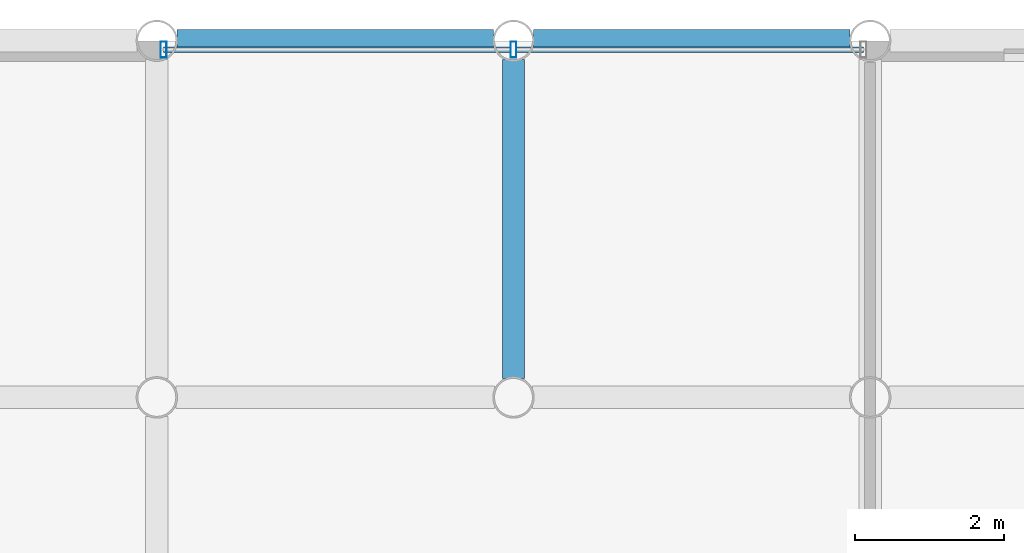
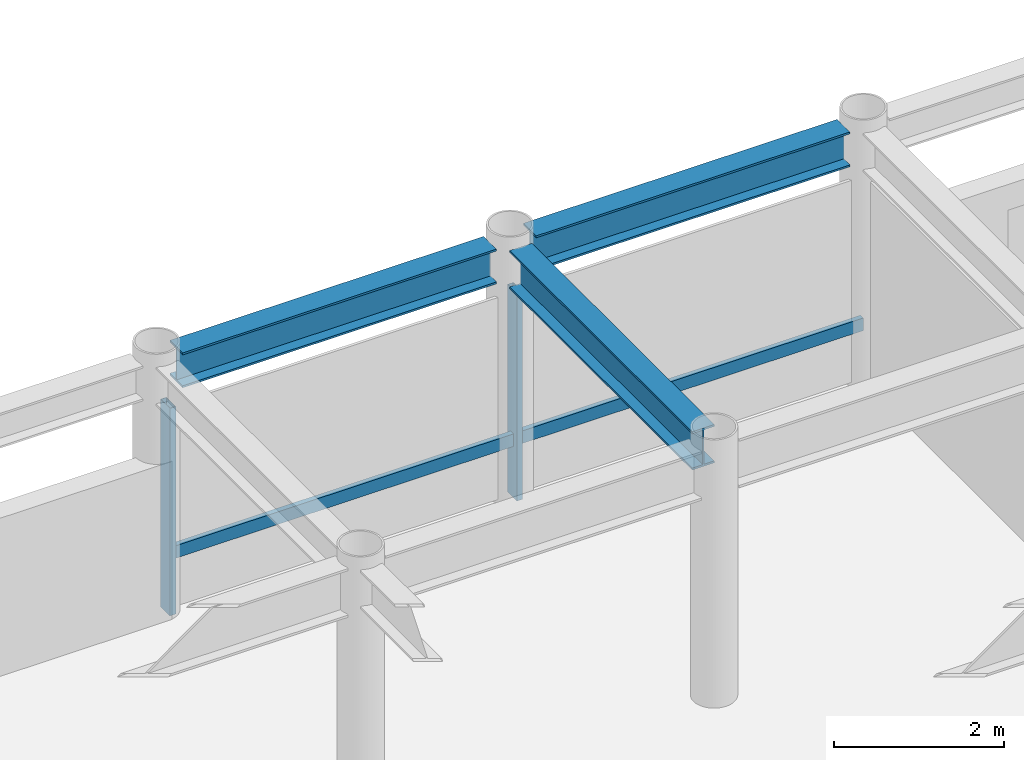
# One storey, part 14 of 22: 4 members, 3 beams, 1 element without a shape of its own.
"""IFC4 building model written with IfcOpenShell, lengths in metres."""

from ifc_helpers import new_model, si_unit, direction, frame, origin, origin_2d, place, context, subcontext, project, spatial, hollow_rectangle, i_section, extrude, material, layer, layer_set, material_profile, profile_set, type_object, element, aggregate, save


model = new_model("IFC4")

# Units and contexts
model_context = context("Model", 3, precision=1e-05, world=origin(), true_north=direction((0.0, 1.0)))
body_context = subcontext(model_context, "Body", "Model", "MODEL_VIEW")
ifc_project = project(units=[si_unit("LENGTHUNIT", "METRE"), si_unit("AREAUNIT", "SQUARE_METRE"), si_unit("VOLUMEUNIT", "CUBIC_METRE"), si_unit("PLANEANGLEUNIT", "RADIAN"), si_unit("MASSUNIT", "GRAM", prefix="KILO")], contexts=[model_context])

# Site, building, storey
site_placement = place(None, origin())
site = spatial("IfcSite", under=ifc_project, at=site_placement, CompositionType="ELEMENT")
building_placement = place(site_placement, origin())
building = spatial("IfcBuilding", under=site, at=building_placement, Name="Kallvorn Hotel Tower", CompositionType="ELEMENT")
storey_placement = place(building_placement, frame((0.0, 0.0, 241.550048828125)))
storey = spatial("IfcBuildingStorey", under=building, at=storey_placement, Name="L60", CompositionType="ELEMENT", Elevation=241.550048828125)

# Beams
ifc_material_1 = material(Name="Structural steel S355JR", Category="steel")
ifc_material_profile_1 = material_profile(ifc_material_1, i_section(OverallWidth=0.300048828125, OverallDepth=0.5, WebThickness=0.014404296875, FlangeThickness=0.028076171875, at=origin_2d()), Name="HE 500 B")
ifc_profile_set_1 = profile_set([ifc_material_profile_1], Name="Structural steel S355JR")
beam_type_1 = type_object("IfcBeamType", Name="BM_HE500B", PredefinedType="SPANDREL", material=ifc_profile_set_1)
for number, where, z_axis, x_axis, name in (
    (1, (-4.530517578125, 24.0, 3.419921875), (1.0, 0.0, 0.0), (0.0, 1.0, 0.0), "L61 Perimeter Spandrel 167"),
    (2, (0.26953125, 24.0, 3.419921875), (1.0, 0.0, 0.0), (0.0, 1.0, 0.0), "L61 Perimeter Spandrel 168"),
):
    element("IfcBeam", number, at=place(storey_placement, frame(where, z_axis=z_axis, x_axis=x_axis)), inside=storey, type_object=beam_type_1, Name=name, PredefinedType="SPANDREL", context=body_context, shape_type="SweptSolid", body=[
        extrude(i_section(OverallWidth=0.300048828125, OverallDepth=0.5, WebThickness=0.014404296875, FlangeThickness=0.028076171875, at=origin_2d()), origin(), (0.0, 0.0, 1.0), 4.260986328125),
    ])
ifc_material_2 = material(Name="Structural steel S355JR", Category="steel")
ifc_material_profile_2 = material_profile(ifc_material_2, i_section(OverallWidth=0.300048828125, OverallDepth=0.550048828125, WebThickness=0.014892578125, FlangeThickness=0.029052734375, at=origin_2d()), Name="HE 550 B")
ifc_profile_set_2 = profile_set([ifc_material_profile_2], Name="Structural steel S355JR")
beam_type_2 = type_object("IfcBeamType", Name="BM_HE550B", PredefinedType="SPANDREL", material=ifc_profile_set_2)
beam_placement = place(storey_placement, frame((0.0, 19.45458984375, 3.39501953125), z_axis=(0.0, 1.0, 0.0), x_axis=(-1.0, 0.0, 0.0)))
element("IfcBeam", 3, at=beam_placement, inside=storey, type_object=beam_type_2, Name="L61 Primary Y-Girder 112", PredefinedType="SPANDREL", context=body_context, shape_type="SweptSolid", body=[
    extrude(i_section(OverallWidth=0.300048828125, OverallDepth=0.550048828125, WebThickness=0.014892578125, FlangeThickness=0.029052734375, at=origin_2d()), origin(), (0.0, 0.0, 1.0), 4.291015625),
])

# Curtain wall, members
ifc_material_3 = material(Name="Thermally broken black-anodised aluminium AA 6063-T6", Category="aluminium")
ifc_layer = layer(ifc_material_3, 0.22998046875)
ifc_layer_set = layer_set([ifc_layer], Name="CW_SYS_5_HOTEL_HIGH")
curtain_wall_type = type_object("IfcCurtainWallType", Name="CW_SYS_5_HOTEL_HIGH", PredefinedType="USERDEFINED", material=ifc_layer_set)
curtain_wall_placement = place(storey_placement, origin())
curtain_wall = element("IfcCurtainWall", 4, at=curtain_wall_placement, inside=storey, type_object=curtain_wall_type, Name="L60 Dark-Glass Curtain Wall CW-L60-NC", ObjectType="UNITISED CURTAIN WALL", PredefinedType="USERDEFINED")
ifc_material_4 = material(Name="Thermally broken black-anodised aluminium AA 6063-T6", Category="aluminium")
ifc_material_profile_3 = material_profile(ifc_material_4, hollow_rectangle(XDim=0.080078125, YDim=0.219970703125, WallThickness=0.0048828125, at=origin_2d()), Name="MUL 220x80")
ifc_profile_set_3 = profile_set([ifc_material_profile_3], Name="Thermally broken black-anodised aluminium AA 6063-T6")
member_type_1 = type_object("IfcMemberType", Name="CW_MULLION_220x80", PredefinedType="MULLION", material=ifc_profile_set_3)
member_1_placement = place(storey_placement, frame((-4.7099609375, 23.8798828125, 0.02001953125), z_axis=(0.0, 0.0, 1.0), x_axis=(1.0, 0.0, 0.0)))
member_1 = element("IfcMember", 5, at=member_1_placement, type_object=member_type_1, Name="CW-L60-NC Mullion 00", PredefinedType="MULLION", context=body_context, shape_type="SweptSolid", body=[
    extrude(hollow_rectangle(XDim=0.080078125, YDim=0.219970703125, WallThickness=0.0048828125, at=origin_2d()), origin(), (0.0, 0.0, 1.0), 2.97998046875),
])
member_2_placement = place(storey_placement, frame((0.0, 23.8798828125, 0.02001953125), z_axis=(0.0, 0.0, 1.0), x_axis=(1.0, 0.0, 0.0)))
member_2 = element("IfcMember", 6, at=member_2_placement, type_object=member_type_1, Name="CW-L60-NC Mullion 01", PredefinedType="MULLION", context=body_context, shape_type="SweptSolid", body=[
    extrude(hollow_rectangle(XDim=0.080078125, YDim=0.219970703125, WallThickness=0.0048828125, at=origin_2d()), origin(), (0.0, 0.0, 1.0), 2.97998046875),
])
ifc_material_5 = material(Name="Thermally broken black-anodised aluminium AA 6063-T6", Category="aluminium")
ifc_material_profile_4 = material_profile(ifc_material_5, hollow_rectangle(XDim=0.070068359375, YDim=0.179931640625, WallThickness=0.00390625, at=origin_2d()), Name="TRN 180x70")
ifc_profile_set_4 = profile_set([ifc_material_profile_4], Name="Thermally broken black-anodised aluminium AA 6063-T6")
member_type_2 = type_object("IfcMemberType", Name="CW_TRANSOM_180x70", PredefinedType="USERDEFINED", material=ifc_profile_set_4)
member_3_placement = place(storey_placement, frame((-4.7099609375, 23.8798828125, 0.849853515625), z_axis=(1.0, 0.0, 0.0), x_axis=(0.0, 1.0, 0.0)))
member_3 = element("IfcMember", 7, at=member_3_placement, type_object=member_type_2, Name="CW-L60-NC Transom 00M", ObjectType="TRANSOM", PredefinedType="USERDEFINED", context=body_context, shape_type="SweptSolid", body=[
    extrude(hollow_rectangle(XDim=0.070068359375, YDim=0.179931640625, WallThickness=0.00390625, at=origin_2d()), origin(), (0.0, 0.0, 1.0), 4.669921875),
])
member_4_placement = place(storey_placement, frame((0.0400390625, 23.8798828125, 0.849853515625), z_axis=(1.0, 0.0, 0.0), x_axis=(0.0, 1.0, 0.0)))
member_4 = element("IfcMember", 8, at=member_4_placement, type_object=member_type_2, Name="CW-L60-NC Transom 01M", ObjectType="TRANSOM", PredefinedType="USERDEFINED", context=body_context, shape_type="SweptSolid", body=[
    extrude(hollow_rectangle(XDim=0.070068359375, YDim=0.179931640625, WallThickness=0.00390625, at=origin_2d()), origin(), (0.0, 0.0, 1.0), 4.669921875),
])
aggregate(curtain_wall, [member_1, member_2, member_3, member_4])

save(model, "model.ifc")
